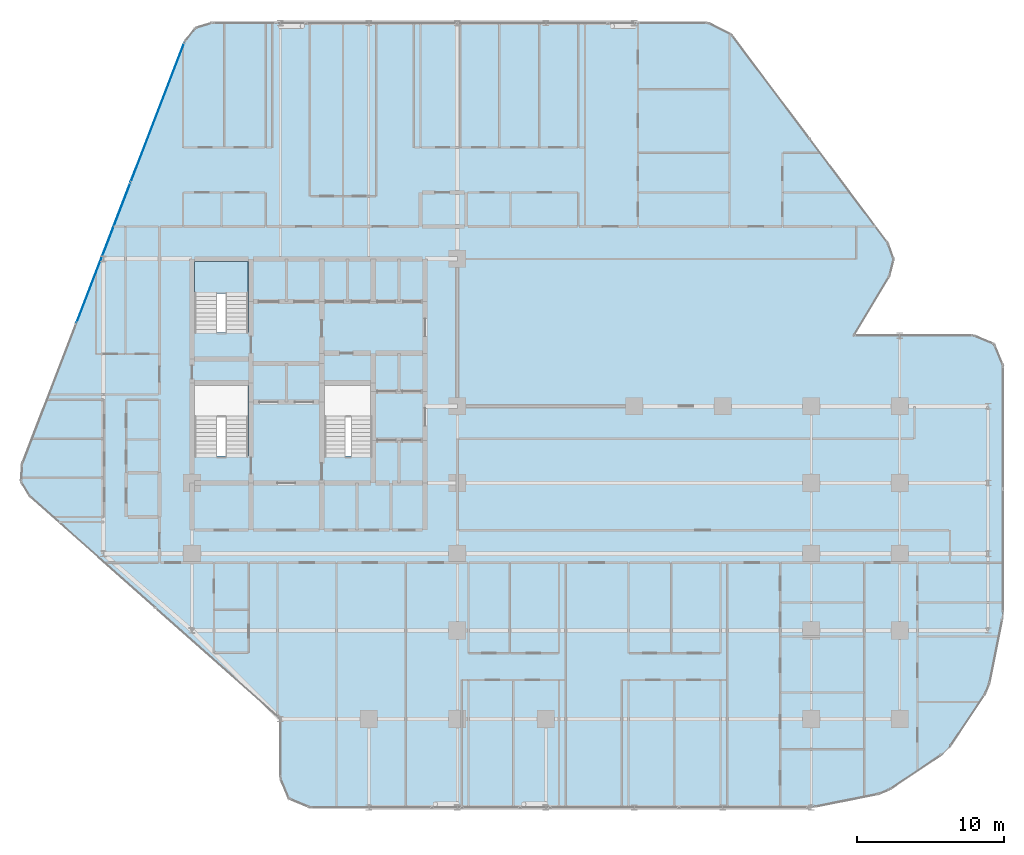
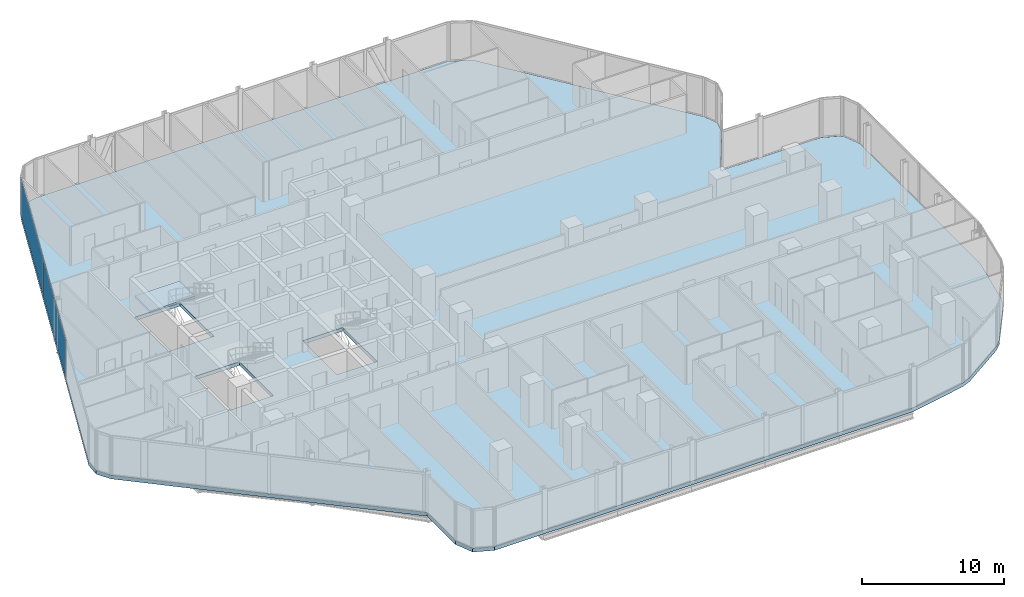
# One storey, part 23 of 33: 2 plates, 2 slabs, 2 elements without a shape of their own.
"""IFC4 building model written with IfcOpenShell, lengths in metres."""

import ifcopenshell
import ifcopenshell.guid

model = None  # the IFC model being written
_history = None  # IfcOwnerHistory: only IFC2X3 demands one
_inside = {}  # id of a spatial element -> (the spatial element, [elements in it])
_under = {}  # id of a project, library or spatial element -> (it, [spatial elements below it])
_declared = {}  # id of a project -> (the project, [libraries it declares])
_typed = {}  # id of a type object -> (the type object, [elements of that type])
_made_of = {}  # id of a material, layer set ... -> (it, [elements and type objects made of it])


def new_model(schema):
    """Start an empty IFC model of exactly this schema.

    Asked for "IFC4X3", IfcOpenShell would pick the latest addendum, in which some entities
    have other attributes; the version numbers below select the first issue.
    IFC2X3 requires an IfcOwnerHistory on every rooted entity: one is made here for all.
    """
    global model, _history
    if schema == "IFC4X3":
        model = ifcopenshell.file(schema_version=(4, 3, 0, 0))
    else:
        model = ifcopenshell.file(schema=schema)
    _inside.clear()
    _under.clear()
    _declared.clear()
    _typed.clear()
    _made_of.clear()
    _history = None
    if model.schema == "IFC2X3":
        org = make("IfcOrganization", Name="unknown")
        user = make(
            "IfcPersonAndOrganization",
            ThePerson=make("IfcPerson", FamilyName="unknown"),
            TheOrganization=org,
        )
        app = make(
            "IfcApplication",
            ApplicationDeveloper=org,
            Version="unknown",
            ApplicationFullName="unknown",
            ApplicationIdentifier="unknown",
        )
        _history = make(
            "IfcOwnerHistory",
            OwningUser=user,
            OwningApplication=app,
            ChangeAction="ADDED",
            CreationDate=0,
        )
    return model


def make(cls, **values):
    """One entity of the class cls with the attributes given. An attribute that is None is left unset."""
    return model.create_entity(
        cls, **{name: value for name, value in values.items() if value is not None}
    )


def rooted(cls, **values):
    """An entity with a GlobalId (a new one), such as an element, a storey or a relation."""
    return make(cls, GlobalId=ifcopenshell.guid.new(), OwnerHistory=_history, **values)


def si_unit(unit_type, name, prefix=None):
    """IfcSIUnit, for example si_unit("LENGTHUNIT", "METRE", prefix="MILLI")."""
    return make("IfcSIUnit", UnitType=unit_type, Prefix=prefix, Name=name)


def assignment(units):
    """IfcUnitAssignment: the units of a project."""
    return None if units is None else make("IfcUnitAssignment", Units=units)


def point(xyz):
    """IfcCartesianPoint."""
    return None if xyz is None else make("IfcCartesianPoint", Coordinates=xyz)


def direction(xyz):
    """IfcDirection."""
    return None if xyz is None else make("IfcDirection", DirectionRatios=xyz)


def frame(location, z_axis=None, x_axis=None):
    """IfcAxis2Placement3D, a coordinate frame: its origin and axes. An axis left out is left unset."""
    return make(
        "IfcAxis2Placement3D",
        Location=point(location),
        Axis=direction(z_axis),
        RefDirection=direction(x_axis),
    )


def frame_2d(location, x_axis=None):
    """IfcAxis2Placement2D, a coordinate frame in the plane: its origin and x axis."""
    return make(
        "IfcAxis2Placement2D", Location=point(location), RefDirection=direction(x_axis)
    )


def origin():
    """The frame at (0, 0, 0) with its axes left unset."""
    return frame((0.0, 0.0, 0.0))


def origin_2d():
    """The frame at (0, 0) in the plane with its x axis left unset."""
    return frame_2d((0.0, 0.0))


def place(relative_to, where):
    """IfcLocalPlacement: puts the frame where relative to a parent placement (None: the world)."""
    return make(
        "IfcLocalPlacement", PlacementRelTo=relative_to, RelativePlacement=where
    )


def context(
    kind, dimensions, precision=None, world=None, true_north=None, identifier=None
):
    """IfcGeometricRepresentationContext, for example the 3D "Model" context."""
    return make(
        "IfcGeometricRepresentationContext",
        ContextIdentifier=identifier,
        ContextType=kind,
        CoordinateSpaceDimension=dimensions,
        Precision=precision,
        WorldCoordinateSystem=world,
        TrueNorth=true_north,
    )


def subcontext(parent, identifier, kind, view, scale=None):
    """IfcGeometricRepresentationSubContext, for example "Body" below "Model"."""
    return make(
        "IfcGeometricRepresentationSubContext",
        ContextIdentifier=identifier,
        ContextType=kind,
        ParentContext=parent,
        TargetScale=scale,
        TargetView=view,
    )


def project(units=None, contexts=None):
    """IfcProject with its units and contexts."""
    return rooted(
        "IfcProject",
        Name="project",
        RepresentationContexts=contexts,
        UnitsInContext=assignment(units),
    )


def spatial(cls, under=None, at=None, **own):
    """A site, building, storey or space (cls), placed at a placement, below another one or the project."""
    s = rooted(cls, ObjectPlacement=at, **own)
    if under is not None:
        _under.setdefault(under.id(), (under, []))[1].append(s)
    return s


def polyline(points):
    """IfcPolyline through the points."""
    return make("IfcPolyline", Points=[point(p) for p in points])


def profile(cls, at=None, kind="AREA", **sizes):
    """A parametric profile (cls). Its sizes go by their IFC names, for example OverallWidth=200.0."""
    return make(cls, ProfileType=kind, Position=at, **sizes)


def rectangle(**sizes):
    """IfcRectangleProfileDef."""
    return profile("IfcRectangleProfileDef", **sizes)


def outline(outer, holes=None, kind="AREA"):
    """IfcArbitraryClosedProfileDef: a profile drawn as a closed curve; with holes, ...WithVoids."""
    if holes is None:
        return make("IfcArbitraryClosedProfileDef", ProfileType=kind, OuterCurve=outer)
    return make(
        "IfcArbitraryProfileDefWithVoids",
        ProfileType=kind,
        OuterCurve=outer,
        InnerCurves=holes,
    )


def extrude(swept, where, along, depth):
    """IfcExtrudedAreaSolid: the profile swept, set in the frame where, extruded along a direction by depth."""
    return make(
        "IfcExtrudedAreaSolid",
        SweptArea=swept,
        Position=where,
        ExtrudedDirection=direction(along),
        Depth=depth,
    )


def shape(context_of_items, identifier, shape_type, items):
    """IfcShapeRepresentation: the items that make up one representation, for example the "Body"."""
    return make(
        "IfcShapeRepresentation",
        ContextOfItems=context_of_items,
        RepresentationIdentifier=identifier,
        RepresentationType=shape_type,
        Items=items,
    )


def material(Name=None, Category=None):
    """IfcMaterial."""
    return make("IfcMaterial", Name=Name, Category=Category)


def layer(
    of_material, thickness, ventilated=None, Name=None, Category=None, Priority=None
):
    """IfcMaterialLayer: one layer of a wall or slab, of a material (None: an air gap)."""
    return make(
        "IfcMaterialLayer",
        Material=of_material,
        LayerThickness=thickness,
        IsVentilated=ventilated,
        Name=Name,
        Category=Category,
        Priority=Priority,
    )


def layer_set(layers, Name=None):
    """IfcMaterialLayerSet."""
    return make("IfcMaterialLayerSet", MaterialLayers=layers, LayerSetName=Name)


def made_of(thing, what):
    """Note that an element or type object is made of a material, layer set ...; save() writes the relation."""
    if what is not None:
        _made_of.setdefault(what.id(), (what, []))[1].append(thing)
    return thing


def type_object(cls, material=None, **own):
    """A type object (cls), such as IfcWallType, which elements share."""
    return made_of(rooted(cls, **own), material)


def element(
    cls,
    number,
    at=None,
    inside=None,
    cuts=None,
    type_object=None,
    material=None,
    context=None,
    identifier="Body",
    shape_type=None,
    held_by="IfcProductDefinitionShape",
    body=None,
    shapes=None,
    **own,
):
    """One element of the class cls, such as IfcWall. Its Tag is "e" and its number.

    at: its placement. inside: the storey or other place that contains it. cuts: it is an
    opening in that element (IfcRelVoidsElement). A single representation is given by context,
    identifier, shape_type and body (its items); several are given by shapes. held_by: the class
    of the entity that holds the representations. save() writes the other relations.
    """
    e = rooted(cls, Tag="e%d" % number, ObjectPlacement=at, **own)
    if body is not None:
        shapes = [shape(context, identifier, shape_type, body)]
    if shapes is not None:
        e.Representation = make(held_by, Representations=shapes)
    if inside is not None:
        _inside.setdefault(inside.id(), (inside, []))[1].append(e)
    if cuts is not None:
        rooted(
            "IfcRelVoidsElement", RelatingBuildingElement=cuts, RelatedOpeningElement=e
        )
    if type_object is not None:
        _typed.setdefault(type_object.id(), (type_object, []))[1].append(e)
    return made_of(e, material)


def aggregate(whole, parts):
    """IfcRelAggregates: a whole, such as a stair, and the parts it consists of."""
    return rooted("IfcRelAggregates", RelatingObject=whole, RelatedObjects=parts)


def save(model, path):
    """Write the relations noted so far, then the file.

    IfcRelAggregates (storeys below a building ...), IfcRelContainedInSpatialStructure (elements
    in a storey), IfcRelDefinesByType, IfcRelAssociatesMaterial and IfcRelDeclares: one each for
    every whole, place, type object, material and project.
    """
    for whole, parts in _under.values():
        aggregate(whole, parts)
    for where, things in _inside.values():
        rooted(
            "IfcRelContainedInSpatialStructure",
            RelatedElements=things,
            RelatingStructure=where,
        )
    for kind, things in _typed.values():
        rooted("IfcRelDefinesByType", RelatedObjects=things, RelatingType=kind)
    for what, things in _made_of.values():
        rooted("IfcRelAssociatesMaterial", RelatedObjects=things, RelatingMaterial=what)
    for by, libraries in _declared.values():
        rooted("IfcRelDeclares", RelatingContext=by, RelatedDefinitions=libraries)
    model.write(path)


model = new_model("IFC4")

# Units and contexts
model_context = context("Model", 3, precision=1e-05, world=origin(), true_north=direction((0.0, 1.0)))
body_context = subcontext(model_context, "Body", "Model", "MODEL_VIEW")
ifc_project = project(units=[si_unit("LENGTHUNIT", "METRE"), si_unit("AREAUNIT", "SQUARE_METRE"), si_unit("VOLUMEUNIT", "CUBIC_METRE"), si_unit("PLANEANGLEUNIT", "RADIAN"), si_unit("MASSUNIT", "GRAM", prefix="KILO")], contexts=[model_context])

# Site, building, storey
site_placement = place(None, origin())
site = spatial("IfcSite", under=ifc_project, at=site_placement, CompositionType="ELEMENT")
building_placement = place(site_placement, origin())
building = spatial("IfcBuilding", under=site, at=building_placement, Name="Keshet Zoharim Tower", CompositionType="ELEMENT")
storey_placement = place(building_placement, frame((0.0, 0.0, 73.800048828125)))
storey = spatial("IfcBuildingStorey", under=building, at=storey_placement, Name="L17", CompositionType="ELEMENT", Elevation=73.800048828125)

# Curtain wall, plates
ifc_material_1 = material(Name="Aluminium 6063-T6", Category="aluminium")
ifc_layer_1 = layer(ifc_material_1, 0.179931640625)
ifc_layer_set_1 = layer_set([ifc_layer_1], Name="Aluminium 6063-T6")
curtain_wall_type = type_object("IfcCurtainWallType", Name="CW-SYS-01", PredefinedType="NOTDEFINED", material=ifc_layer_set_1)
curtain_wall_placement = place(storey_placement, origin())
curtain_wall = element("IfcCurtainWall", 1, at=curtain_wall_placement, inside=storey, type_object=curtain_wall_type, Name="L17 Unitised Curtain Wall 04", PredefinedType="NOTDEFINED")
ifc_material_2 = material(Name="Insulated Low-E Clear Glass", Category="glass")
ifc_layer_2 = layer(ifc_material_2, 0.035888671875)
ifc_layer_set_2 = layer_set([ifc_layer_2], Name="Insulated Low-E Clear Glass")
plate_type = type_object("IfcPlateType", Name="CWP-01", PredefinedType="CURTAIN_PANEL", material=ifc_layer_set_2)
plate_1_placement = place(storey_placement, frame((9.001953125, 38.305419921875, 0.06982421875), z_axis=(0.0, 0.0, 1.0), x_axis=(0.358990003907, 0.933341404361, 0.0)))
plate_1 = element("IfcPlate", 2, at=plate_1_placement, type_object=plate_type, Name="CW-01 panel 2.1", PredefinedType="CURTAIN_PANEL", context=body_context, shape_type="SweptSolid", body=[
    extrude(rectangle(XDim=10.153076171875, YDim=0.035888671875, at=origin_2d()), origin(), (0.0, 0.0, 1.0), 3.2451171875),
])
plate_2_placement = place(storey_placement, frame((12.665771484375, 47.830810546875, 0.06982421875), z_axis=(0.0, 0.0, 1.0), x_axis=(0.358990003907, 0.933341404361, 0.0)))
plate_2 = element("IfcPlate", 3, at=plate_2_placement, type_object=plate_type, Name="CW-01 panel 3.1", PredefinedType="CURTAIN_PANEL", context=body_context, shape_type="SweptSolid", body=[
    extrude(rectangle(XDim=10.1181640625, YDim=0.035888671875, at=origin_2d()), origin(), (0.0, 0.0, 1.0), 3.2451171875),
])
aggregate(curtain_wall, [plate_1, plate_2])

# Stair, slab
ifc_material_3 = material(Name="Concrete C50/60", Category="concrete")
stair_type = type_object("IfcStairType", Name="STR-EXIT-135", PredefinedType="HALF_TURN_STAIR", material=ifc_material_3)
stair_placement = place(storey_placement, origin())
stair = element("IfcStair", 4, at=stair_placement, inside=storey, type_object=stair_type, Name="L17 Enclosed Exit Stair ST-02", PredefinedType="HALF_TURN_STAIR")
ifc_layer_3 = layer(ifc_material_3, 0.199951171875)
ifc_layer_set_3 = layer_set([ifc_layer_3], Name="Concrete C50/60")
slab_type_1 = type_object("IfcSlabType", Name="SLB-LND-200", PredefinedType="LANDING", material=ifc_layer_set_3)
slab_1_placement = place(storey_placement, frame((0.0, 0.0, 1.64990234375)))
slab_1 = element("IfcSlab", 5, at=slab_1_placement, type_object=slab_type_1, Name="ST-02 landing 1", PredefinedType="LANDING", context=body_context, shape_type="SweptSolid", body=[
    extrude(outline(polyline([(15.179931640625, 35.56005859375), (18.820068359375, 35.56005859375), (18.820068359375, 37.719970703125), (15.179931640625, 37.719970703125), (15.179931640625, 35.56005859375)])), origin(), (0.0, 0.0, 1.0), 0.199951171875),
])
aggregate(stair, [slab_1])

# Slab
ifc_layer_4 = layer(ifc_material_3, 0.31494140625)
ifc_layer_set_4 = layer_set([ifc_layer_4], Name="Concrete C50/60")
slab_type_2 = type_object("IfcSlabType", Name="SLB-LOW-260", PredefinedType="FLOOR", material=ifc_layer_set_4)
slab_2_placement = place(storey_placement, frame((0.0, 0.0, -0.31494140625)))
element("IfcSlab", 6, at=slab_2_placement, inside=storey, type_object=slab_type_2, Name="L17 Structural Floor Slab 1", PredefinedType="FLOOR", context=body_context, shape_type="SweptSolid", body=[
    extrude(outline(polyline([(21.0, 6.699951171875), (4.034912109375, 21.780029296875), (3.419921875, 22.802001953125), (3.4970703125, 23.992919921875), (14.507080078125, 52.617919921875), (15.240966796875, 53.549072265625), (16.3740234375, 53.89990234375), (50.0, 53.89990234375), (51.60009765625, 53.10009765625), (62.193115234375, 38.97607421875), (62.590087890625, 37.87890625), (62.30810546875, 36.7470703125), (59.8798828125, 32.699951171875), (68.0, 32.699951171875), (69.4140625, 32.114013671875), (70.0, 30.699951171875), (70.0, 13.89697265625), (69.9619140625, 13.507080078125), (69.087890625, 9.114990234375), (68.7890625, 8.39404296875), (66.4130859375, 4.837890625), (65.862060546875, 4.287109375), (62.305908203125, 1.910888671875), (61.5849609375, 1.612060546875), (57.193115234375, 0.738037109375), (56.802978515625, 0.699951171875), (23.0, 0.699951171875), (21.5859375, 1.285888671875), (21.0, 2.699951171875), (21.0, 6.699951171875)]), holes=[polyline([(15.179931640625, 24.52001953125), (18.820068359375, 24.52001953125), (18.820068359375, 29.320068359375), (15.179931640625, 29.320068359375), (15.179931640625, 24.52001953125)]), polyline([(15.179931640625, 32.919921875), (18.820068359375, 32.919921875), (18.820068359375, 37.719970703125), (15.179931640625, 37.719970703125), (15.179931640625, 32.919921875)]), polyline([(23.97998046875, 24.52001953125), (27.219970703125, 24.52001953125), (27.219970703125, 29.320068359375), (23.97998046875, 29.320068359375), (23.97998046875, 24.52001953125)])]), origin(), (0.0, 0.0, 1.0), 0.31494140625),
])

save(model, "model.ifc")
